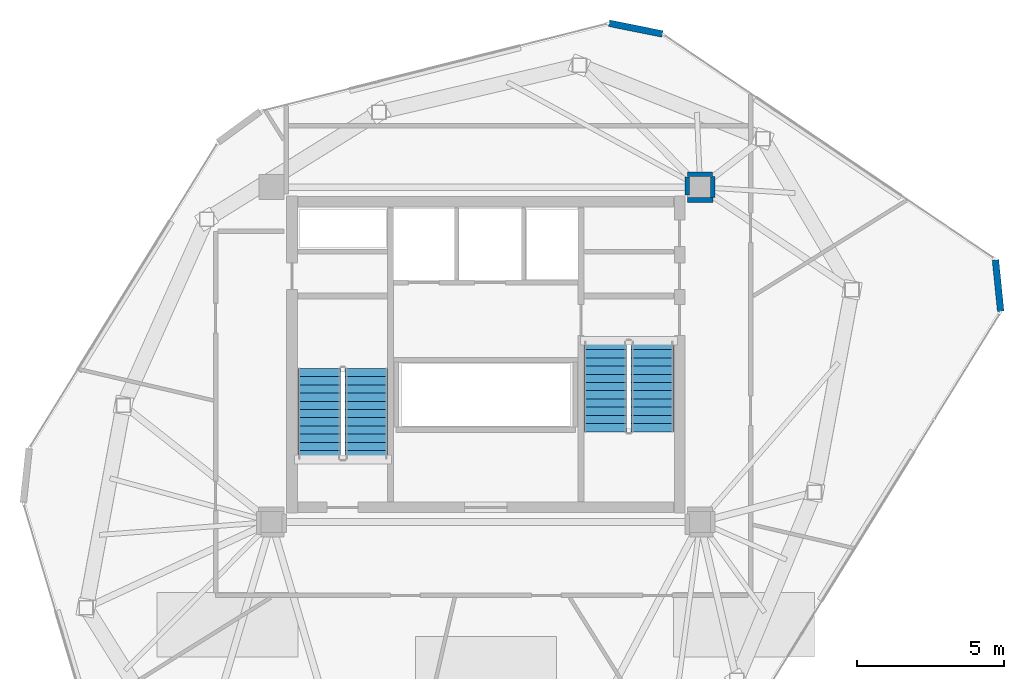
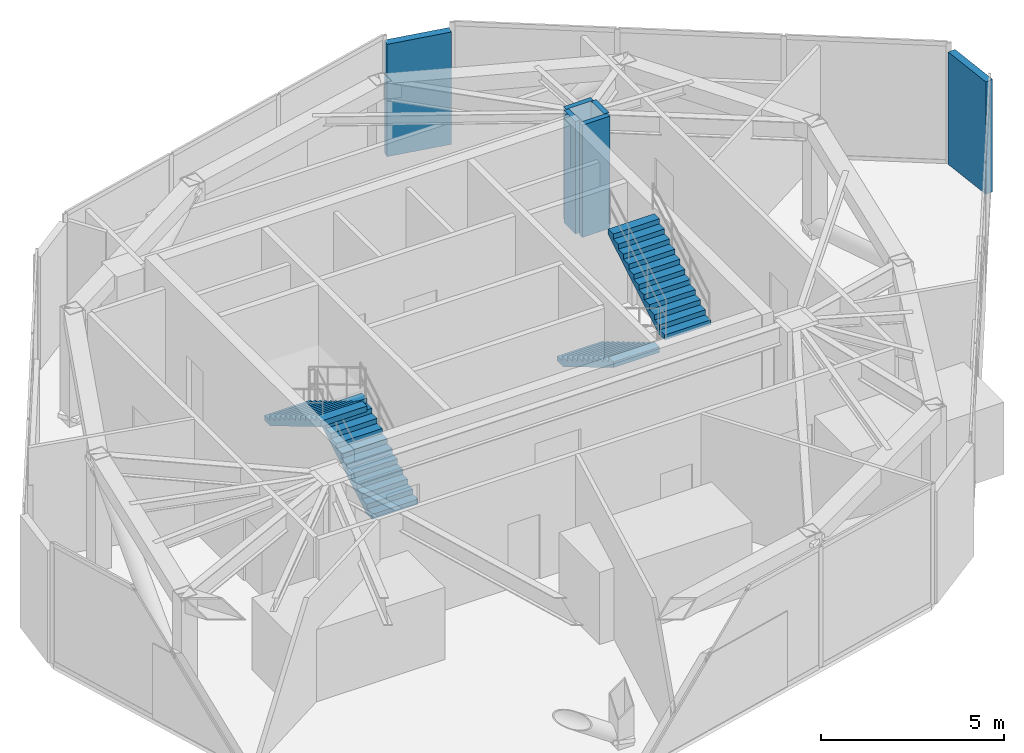
# One storey, part 19 of 21: 6 walls, 4 stair flights, 2 elements without a shape of their own.
"""IFC4 building model written with IfcOpenShell, lengths in metres."""

from ifc_helpers import new_model, si_unit, direction, frame, frame_2d, origin, place, context, subcontext, project, spatial, polyline, rectangle, outline, extrude, material, layer, layer_set, type_object, element, aggregate, save


model = new_model("IFC4")

# Units and contexts
model_context = context("Model", 3, precision=1e-05, world=origin(), true_north=direction((0.0, 1.0)))
body_context = subcontext(model_context, "Body", "Model", "MODEL_VIEW")
ifc_project = project(units=[si_unit("LENGTHUNIT", "METRE"), si_unit("AREAUNIT", "SQUARE_METRE"), si_unit("VOLUMEUNIT", "CUBIC_METRE"), si_unit("PLANEANGLEUNIT", "RADIAN"), si_unit("MASSUNIT", "GRAM", prefix="KILO")], contexts=[model_context])

# Site, building, storey
site_placement = place(None, origin())
site = spatial("IfcSite", under=ifc_project, at=site_placement, CompositionType="ELEMENT")
building_placement = place(site_placement, origin())
building = spatial("IfcBuilding", under=site, at=building_placement, Name="Talar Marvaseh", CompositionType="ELEMENT")
storey_placement = place(building_placement, frame((0.0, 0.0, 300.0)))
storey = spatial("IfcBuildingStorey", under=building, at=storey_placement, Name="L80", CompositionType="ELEMENT", Elevation=300.0)

# Walls
ifc_material_1 = material(Name="Precast concrete C45/55", Category="concrete")
ifc_layer_1 = layer(ifc_material_1, 0.22509765625)
ifc_layer_set_1 = layer_set([ifc_layer_1], Name="Precast concrete C45/55")
wall_type_1 = type_object("IfcWallType", Name="Chamfered Hexagonal Corner Pier Wall Z4 225", PredefinedType="SOLIDWALL", material=ifc_layer_set_1)
wall_1_placement = place(storey_placement, frame((30.198486328125, 42.484375, 0.0), z_axis=(0.0, 0.0, 1.0), x_axis=(0.980352414563, -0.197254006954, 0.0)))
element("IfcWall", 1, at=wall_1_placement, inside=storey, type_object=wall_type_1, Name="L80 Chamfered Corner Limestone Pier 4", PredefinedType="SOLIDWALL", context=body_context, shape_type="SweptSolid", body=[
    extrude(rectangle(XDim=1.8564453125, YDim=0.22509765625, at=frame_2d((0.92822265625, 0.0))), origin(), (0.0, 0.0, 1.0), 3.739990234375),
])
wall_2_placement = place(storey_placement, frame((43.357421875, 34.422119140625, 0.0), z_axis=(0.0, 0.0, 1.0), x_axis=(0.101510883222, -0.99483442873, 0.0)))
element("IfcWall", 2, at=wall_2_placement, inside=storey, type_object=wall_type_1, Name="L80 Chamfered Corner Limestone Pier 5", PredefinedType="SOLIDWALL", context=body_context, shape_type="SweptSolid", body=[
    extrude(rectangle(XDim=1.758056640625, YDim=0.22509765625, at=frame_2d((0.87890625, 0.0))), origin(), (0.0, 0.0, 1.0), 3.739990234375),
])
ifc_material_2 = material(Name="Gypsum Board Partition Assembly")
ifc_layer_2 = layer(ifc_material_2, 0.155029296875)
ifc_layer_set_2 = layer_set([ifc_layer_2], Name="Gypsum Board Partition Assembly")
wall_type_2 = type_object("IfcWallType", Name="Corridor Fire-Rated Acoustic Partition 155", PredefinedType="PARTITIONING", material=ifc_layer_set_2)
wall_3_placement = place(storey_placement, frame((33.72509765625, 37.340087890625, 0.0), z_axis=(0.0, 0.0, 1.0), x_axis=(-0.999986962681, -0.005106316405, 0.0)))
element("IfcWall", 3, at=wall_3_placement, inside=storey, type_object=wall_type_2, Name="L80 Interior Partition Wall", PredefinedType="PARTITIONING", context=body_context, shape_type="SweptSolid", body=[
    extrude(rectangle(XDim=0.860595703125, YDim=0.155029296875, at=frame_2d((0.43017578125, 0.0))), origin(), (0.0, 0.0, 1.0), 3.739990234375),
])
wall_4_placement = place(storey_placement, frame((32.864501953125, 37.252197265625, 0.0), z_axis=(0.0, 0.0, 1.0), x_axis=(0.0, -1.0, 0.0)))
element("IfcWall", 4, at=wall_4_placement, inside=storey, type_object=wall_type_2, Name="L80 Interior Partition Wall", PredefinedType="PARTITIONING", context=body_context, shape_type="SweptSolid", body=[
    extrude(rectangle(XDim=0.624755859375, YDim=0.155029296875, at=frame_2d((0.3125, 0.0))), origin(), (0.0, 0.0, 1.0), 3.739990234375),
])
wall_5_placement = place(storey_placement, frame((32.8701171875, 36.46435546875, 0.0), z_axis=(0.0, 0.0, 1.0), x_axis=(1.0, 0.0, 0.0)))
element("IfcWall", 5, at=wall_5_placement, inside=storey, type_object=wall_type_2, Name="L80 Interior Partition Wall", PredefinedType="PARTITIONING", context=body_context, shape_type="SweptSolid", body=[
    extrude(rectangle(XDim=0.865478515625, YDim=0.155029296875, at=frame_2d((0.4326171875, 0.0))), origin(), (0.0, 0.0, 1.0), 3.739990234375),
])
wall_6_placement = place(storey_placement, frame((33.734619140625, 36.5478515625, 0.0), z_axis=(0.0, 0.0, 1.0), x_axis=(-0.012055617118, 0.999927328407, 0.0)))
element("IfcWall", 6, at=wall_6_placement, inside=storey, type_object=wall_type_2, Name="L80 Interior Partition Wall", PredefinedType="PARTITIONING", context=body_context, shape_type="SweptSolid", body=[
    extrude(rectangle(XDim=0.708740234375, YDim=0.155029296875, at=frame_2d((0.3544921875, 0.0))), origin(), (0.0, 0.0, 1.0), 3.739990234375),
])

# Stair, stair flights
ifc_material_3 = material(Name="Concrete C40/50", Category="concrete")
stair_type = type_object("IfcStairType", Name="Reinforced Concrete High-Rise Exit Stair Type C", PredefinedType="HALF_TURN_STAIR", material=ifc_material_3)
stair_1_placement = place(storey_placement, origin())
stair_1 = element("IfcStair", 7, at=stair_1_placement, inside=storey, type_object=stair_type, Name="L80 Tower West Core Exit Stair", PredefinedType="HALF_TURN_STAIR")
ifc_layer_3 = layer(ifc_material_3, 0.159912109375)
ifc_layer_set_3 = layer_set([ifc_layer_3], Name="Concrete C40/50")
stair_flight_type = type_object("IfcStairFlightType", Name="Reinforced Concrete Straight Stair Flight 160", PredefinedType="STRAIGHT", material=ifc_layer_set_3)
stair_flight_1_placement = place(storey_placement, frame((21.93505859375, 27.64990234375, 0.0), z_axis=(0.0, 0.0, 1.0), x_axis=(0.0, 1.0, 0.0)))
stair_flight_1 = element("IfcStairFlight", 8, at=stair_flight_1_placement, type_object=stair_flight_type, Name="ST-1 flight 1", NumberOfRisers=12, NumberOfTreads=11, PredefinedType="STRAIGHT", RiserHeight=0.166666667, TreadLength=0.28, context=body_context, shape_type="SweptSolid", body=[
    extrude(outline(polyline([(0.0, 0.0), (0.0, 0.166748046875), (0.280029296875, 0.166748046875), (0.280029296875, 0.333251953125), (0.56005859375, 0.333251953125), (0.56005859375, 0.5), (0.840087890625, 0.5), (0.840087890625, 0.666748046875), (1.1201171875, 0.666748046875), (1.1201171875, 0.833251953125), (1.39990234375, 0.833251953125), (1.39990234375, 1.0), (1.679931640625, 1.0), (1.679931640625, 1.166748046875), (1.9599609375, 1.166748046875), (1.9599609375, 1.333251953125), (2.239990234375, 1.333251953125), (2.239990234375, 1.5), (2.52001953125, 1.5), (2.52001953125, 1.666748046875), (2.800048828125, 1.666748046875), (2.800048828125, 1.833251953125), (3.080078125, 1.833251953125), (3.080078125, 2.0), (3.080078125, 1.647216796875), (0.312744140625, 0.0), (0.0, 0.0)])), frame((0.0, 0.72509765625, 0.0), z_axis=(0.0, -1.0, 0.0), x_axis=(1.0, 0.0, 0.0)), (0.0, 0.0, 1.0), 1.449951171875),
])
stair_flight_2_placement = place(storey_placement, frame((20.324951171875, 30.72998046875, 2.0), z_axis=(0.0, 0.0, 1.0), x_axis=(0.0, -1.0, 0.0)))
stair_flight_2 = element("IfcStairFlight", 9, at=stair_flight_2_placement, type_object=stair_flight_type, Name="ST-1 flight 2", NumberOfRisers=12, NumberOfTreads=11, PredefinedType="STRAIGHT", RiserHeight=0.166666667, TreadLength=0.28, context=body_context, shape_type="SweptSolid", body=[
    extrude(outline(polyline([(0.0, 0.0), (0.0, 0.166748046875), (0.280029296875, 0.166748046875), (0.280029296875, 0.333251953125), (0.56005859375, 0.333251953125), (0.56005859375, 0.5), (0.840087890625, 0.5), (0.840087890625, 0.666748046875), (1.1201171875, 0.666748046875), (1.1201171875, 0.833251953125), (1.39990234375, 0.833251953125), (1.39990234375, 1.0), (1.679931640625, 1.0), (1.679931640625, 1.166748046875), (1.9599609375, 1.166748046875), (1.9599609375, 1.333251953125), (2.239990234375, 1.333251953125), (2.239990234375, 1.5), (2.52001953125, 1.5), (2.52001953125, 1.666748046875), (2.800048828125, 1.666748046875), (2.800048828125, 1.833251953125), (3.080078125, 1.833251953125), (3.080078125, 2.0), (3.080078125, 1.647216796875), (0.312744140625, 0.0), (0.0, 0.0)])), frame((0.0, 0.72509765625, 0.0), z_axis=(0.0, -1.0, 0.0), x_axis=(1.0, 0.0, 0.0)), (0.0, 0.0, 1.0), 1.449951171875),
])
aggregate(stair_1, [stair_flight_1, stair_flight_2])

stair_2_placement = place(storey_placement, origin())
stair_2 = element("IfcStair", 10, at=stair_2_placement, inside=storey, type_object=stair_type, Name="L80 Tower East Core Exit Stair", PredefinedType="HALF_TURN_STAIR")
stair_flight_3_placement = place(storey_placement, frame((30.06494140625, 31.64990234375, 0.0), z_axis=(0.0, 0.0, 1.0), x_axis=(0.0, -1.0, 0.0)))
stair_flight_3 = element("IfcStairFlight", 11, at=stair_flight_3_placement, type_object=stair_flight_type, Name="ST-2 flight 1", NumberOfRisers=12, NumberOfTreads=11, PredefinedType="STRAIGHT", RiserHeight=0.166666667, TreadLength=0.28, context=body_context, shape_type="SweptSolid", body=[
    extrude(outline(polyline([(0.0, 0.0), (0.0, 0.166748046875), (0.280029296875, 0.166748046875), (0.280029296875, 0.333251953125), (0.56005859375, 0.333251953125), (0.56005859375, 0.5), (0.840087890625, 0.5), (0.840087890625, 0.666748046875), (1.1201171875, 0.666748046875), (1.1201171875, 0.833251953125), (1.39990234375, 0.833251953125), (1.39990234375, 1.0), (1.679931640625, 1.0), (1.679931640625, 1.166748046875), (1.9599609375, 1.166748046875), (1.9599609375, 1.333251953125), (2.239990234375, 1.333251953125), (2.239990234375, 1.5), (2.52001953125, 1.5), (2.52001953125, 1.666748046875), (2.800048828125, 1.666748046875), (2.800048828125, 1.833251953125), (3.080078125, 1.833251953125), (3.080078125, 2.0), (3.080078125, 1.647216796875), (0.312744140625, 0.0), (0.0, 0.0)])), frame((0.0, 0.72509765625, 0.0), z_axis=(0.0, -1.0, 0.0), x_axis=(1.0, 0.0, 0.0)), (0.0, 0.0, 1.0), 1.449951171875),
])
stair_flight_4_placement = place(storey_placement, frame((31.675048828125, 28.570068359375, 2.0), z_axis=(0.0, 0.0, 1.0), x_axis=(0.0, 1.0, 0.0)))
stair_flight_4 = element("IfcStairFlight", 12, at=stair_flight_4_placement, type_object=stair_flight_type, Name="ST-2 flight 2", NumberOfRisers=12, NumberOfTreads=11, PredefinedType="STRAIGHT", RiserHeight=0.166666667, TreadLength=0.28, context=body_context, shape_type="SweptSolid", body=[
    extrude(outline(polyline([(0.0, 0.0), (0.0, 0.166748046875), (0.280029296875, 0.166748046875), (0.280029296875, 0.333251953125), (0.56005859375, 0.333251953125), (0.56005859375, 0.5), (0.840087890625, 0.5), (0.840087890625, 0.666748046875), (1.1201171875, 0.666748046875), (1.1201171875, 0.833251953125), (1.39990234375, 0.833251953125), (1.39990234375, 1.0), (1.679931640625, 1.0), (1.679931640625, 1.166748046875), (1.9599609375, 1.166748046875), (1.9599609375, 1.333251953125), (2.239990234375, 1.333251953125), (2.239990234375, 1.5), (2.52001953125, 1.5), (2.52001953125, 1.666748046875), (2.800048828125, 1.666748046875), (2.800048828125, 1.833251953125), (3.080078125, 1.833251953125), (3.080078125, 2.0), (3.080078125, 1.647216796875), (0.312744140625, 0.0), (0.0, 0.0)])), frame((0.0, 0.72509765625, 0.0), z_axis=(0.0, -1.0, 0.0), x_axis=(1.0, 0.0, 0.0)), (0.0, 0.0, 1.0), 1.449951171875),
])
aggregate(stair_2, [stair_flight_3, stair_flight_4])

save(model, "model.ifc")
